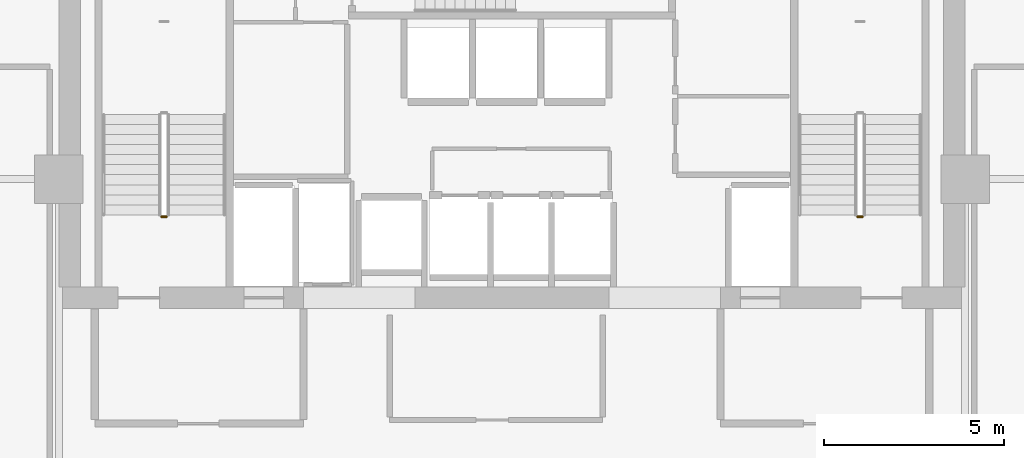
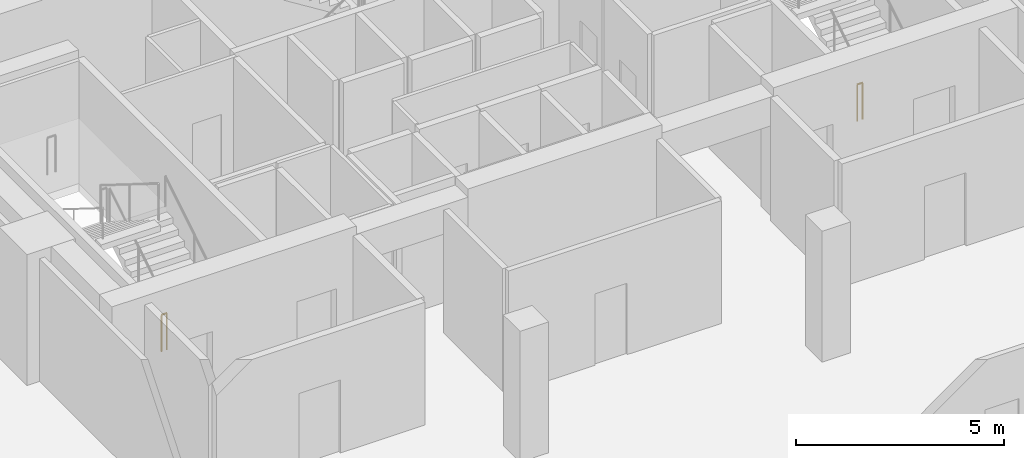
# One storey, part 21 of 23: 2 railings.
"""IFC4 building model written with IfcOpenShell, lengths in metres."""

from ifc_helpers import new_model, si_unit, direction, frame, origin, origin_2d, place, context, subcontext, project, spatial, circle, extrude, material, type_object, element, save


model = new_model("IFC4")

# Units and contexts
model_context = context("Model", 3, precision=1e-05, world=origin(), true_north=direction((0.0, 1.0)))
body_context = subcontext(model_context, "Body", "Model", "MODEL_VIEW")
ifc_project = project(units=[si_unit("LENGTHUNIT", "METRE"), si_unit("AREAUNIT", "SQUARE_METRE"), si_unit("VOLUMEUNIT", "CUBIC_METRE"), si_unit("PLANEANGLEUNIT", "RADIAN"), si_unit("MASSUNIT", "GRAM", prefix="KILO")], contexts=[model_context])

# Site, building, storey
site_placement = place(None, origin())
site = spatial("IfcSite", under=ifc_project, at=site_placement, CompositionType="ELEMENT")
building_placement = place(site_placement, origin())
building = spatial("IfcBuilding", under=site, at=building_placement, Name="Maruvema Waterfront Hotel and Observation Tower", CompositionType="ELEMENT")
storey_placement = place(building_placement, frame((0.0, 0.0, 341.25)))
storey = spatial("IfcBuildingStorey", under=building, at=storey_placement, Name="L84", CompositionType="ELEMENT", Elevation=341.25)

# Railings
ifc_material = material(Name="Brushed stainless steel Grade 316", Category="steel")
railing_type = type_object("IfcRailingType", Name="Ramp and Terrace Guard Balustrade 1100 mm", PredefinedType="BALUSTRADE", material=ifc_material)
railing_1_placement = place(storey_placement, frame((28.199951171875, 43.949951171875, 0.0)))
element("IfcRailing", 1, at=railing_1_placement, inside=storey, type_object=railing_type, Name="L84 ST-01 stair guard 4", PredefinedType="BALUSTRADE", context=body_context, shape_type="SweptSolid", body=[
    extrude(circle(Radius=0.02392578125, at=origin_2d()), frame((0.0, 0.0, 1.076171875), z_axis=(-1.0, 0.0, 0.0), x_axis=(0.0, -1.0, 0.0)), (0.0, 0.0, 1.0), 0.14990234375),
    extrude(circle(Radius=0.02099609375, at=origin_2d()), origin(), (0.0, 0.0, 1.0), 1.052001953125),
    extrude(circle(Radius=0.02099609375, at=origin_2d()), frame((-0.14990234375, 0.0, 0.0)), (0.0, 0.0, 1.0), 1.052001953125),
])
railing_2_placement = place(storey_placement, frame((47.550048828125, 43.949951171875, 0.0)))
element("IfcRailing", 2, at=railing_2_placement, inside=storey, type_object=railing_type, Name="L84 ST-03 stair guard 4", PredefinedType="BALUSTRADE", context=body_context, shape_type="SweptSolid", body=[
    extrude(circle(Radius=0.02392578125, at=origin_2d()), frame((0.0, 0.0, 1.076171875), z_axis=(-1.0, 0.0, 0.0), x_axis=(0.0, -1.0, 0.0)), (0.0, 0.0, 1.0), 0.150146484375),
    extrude(circle(Radius=0.02099609375, at=origin_2d()), origin(), (0.0, 0.0, 1.0), 1.052001953125),
    extrude(circle(Radius=0.02099609375, at=origin_2d()), frame((-0.150146484375, 0.0, 0.0)), (0.0, 0.0, 1.0), 1.052001953125),
])

save(model, "model.ifc")
